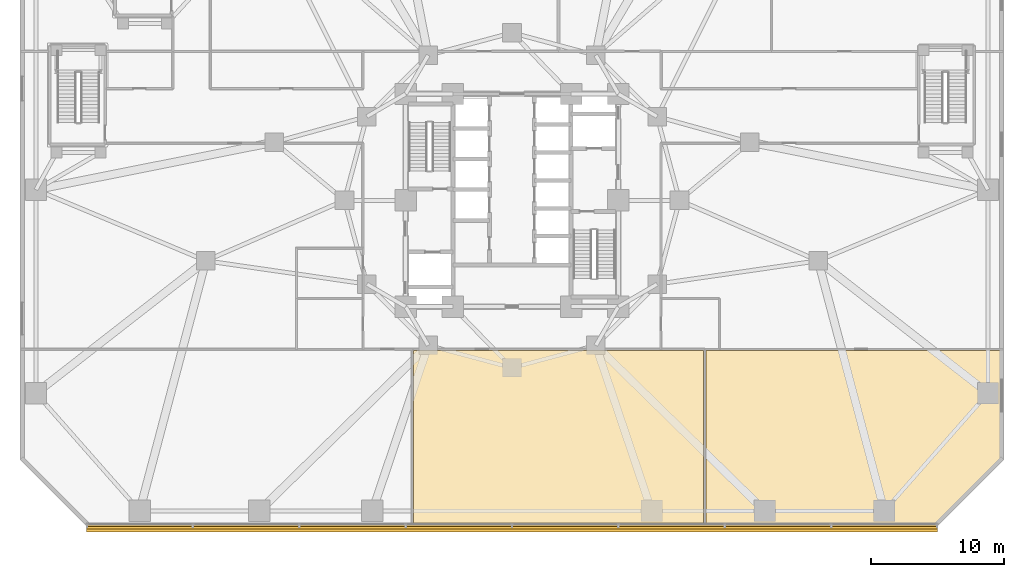
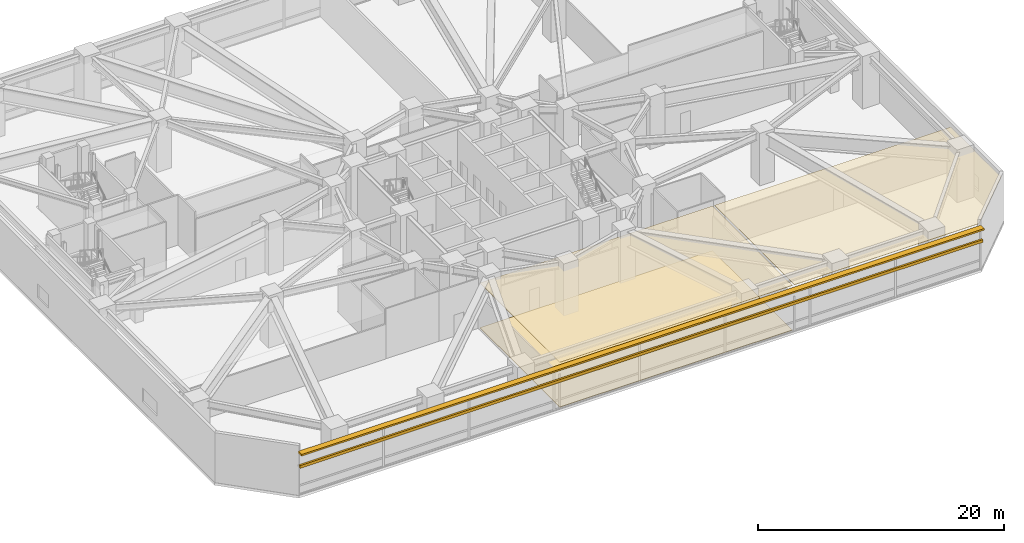
# One storey, part 23 of 27: 3 coverings, 2 shading devices.
"""IFC4 building model written with IfcOpenShell, lengths in metres."""

import ifcopenshell
import ifcopenshell.guid

model = None  # the IFC model being written
_history = None  # IfcOwnerHistory: only IFC2X3 demands one
_inside = {}  # id of a spatial element -> (the spatial element, [elements in it])
_under = {}  # id of a project, library or spatial element -> (it, [spatial elements below it])
_declared = {}  # id of a project -> (the project, [libraries it declares])
_typed = {}  # id of a type object -> (the type object, [elements of that type])
_made_of = {}  # id of a material, layer set ... -> (it, [elements and type objects made of it])


def new_model(schema):
    """Start an empty IFC model of exactly this schema.

    Asked for "IFC4X3", IfcOpenShell would pick the latest addendum, in which some entities
    have other attributes; the version numbers below select the first issue.
    IFC2X3 requires an IfcOwnerHistory on every rooted entity: one is made here for all.
    """
    global model, _history
    if schema == "IFC4X3":
        model = ifcopenshell.file(schema_version=(4, 3, 0, 0))
    else:
        model = ifcopenshell.file(schema=schema)
    _inside.clear()
    _under.clear()
    _declared.clear()
    _typed.clear()
    _made_of.clear()
    _history = None
    if model.schema == "IFC2X3":
        org = make("IfcOrganization", Name="unknown")
        user = make(
            "IfcPersonAndOrganization",
            ThePerson=make("IfcPerson", FamilyName="unknown"),
            TheOrganization=org,
        )
        app = make(
            "IfcApplication",
            ApplicationDeveloper=org,
            Version="unknown",
            ApplicationFullName="unknown",
            ApplicationIdentifier="unknown",
        )
        _history = make(
            "IfcOwnerHistory",
            OwningUser=user,
            OwningApplication=app,
            ChangeAction="ADDED",
            CreationDate=0,
        )
    return model


def make(cls, **values):
    """One entity of the class cls with the attributes given. An attribute that is None is left unset."""
    return model.create_entity(
        cls, **{name: value for name, value in values.items() if value is not None}
    )


def rooted(cls, **values):
    """An entity with a GlobalId (a new one), such as an element, a storey or a relation."""
    return make(cls, GlobalId=ifcopenshell.guid.new(), OwnerHistory=_history, **values)


def si_unit(unit_type, name, prefix=None):
    """IfcSIUnit, for example si_unit("LENGTHUNIT", "METRE", prefix="MILLI")."""
    return make("IfcSIUnit", UnitType=unit_type, Prefix=prefix, Name=name)


def assignment(units):
    """IfcUnitAssignment: the units of a project."""
    return None if units is None else make("IfcUnitAssignment", Units=units)


def point(xyz):
    """IfcCartesianPoint."""
    return None if xyz is None else make("IfcCartesianPoint", Coordinates=xyz)


def direction(xyz):
    """IfcDirection."""
    return None if xyz is None else make("IfcDirection", DirectionRatios=xyz)


def frame(location, z_axis=None, x_axis=None):
    """IfcAxis2Placement3D, a coordinate frame: its origin and axes. An axis left out is left unset."""
    return make(
        "IfcAxis2Placement3D",
        Location=point(location),
        Axis=direction(z_axis),
        RefDirection=direction(x_axis),
    )


def frame_2d(location, x_axis=None):
    """IfcAxis2Placement2D, a coordinate frame in the plane: its origin and x axis."""
    return make(
        "IfcAxis2Placement2D", Location=point(location), RefDirection=direction(x_axis)
    )


def origin():
    """The frame at (0, 0, 0) with its axes left unset."""
    return frame((0.0, 0.0, 0.0))


def origin_2d():
    """The frame at (0, 0) in the plane with its x axis left unset."""
    return frame_2d((0.0, 0.0))


def place(relative_to, where):
    """IfcLocalPlacement: puts the frame where relative to a parent placement (None: the world)."""
    return make(
        "IfcLocalPlacement", PlacementRelTo=relative_to, RelativePlacement=where
    )


def context(
    kind, dimensions, precision=None, world=None, true_north=None, identifier=None
):
    """IfcGeometricRepresentationContext, for example the 3D "Model" context."""
    return make(
        "IfcGeometricRepresentationContext",
        ContextIdentifier=identifier,
        ContextType=kind,
        CoordinateSpaceDimension=dimensions,
        Precision=precision,
        WorldCoordinateSystem=world,
        TrueNorth=true_north,
    )


def subcontext(parent, identifier, kind, view, scale=None):
    """IfcGeometricRepresentationSubContext, for example "Body" below "Model"."""
    return make(
        "IfcGeometricRepresentationSubContext",
        ContextIdentifier=identifier,
        ContextType=kind,
        ParentContext=parent,
        TargetScale=scale,
        TargetView=view,
    )


def project(units=None, contexts=None):
    """IfcProject with its units and contexts."""
    return rooted(
        "IfcProject",
        Name="project",
        RepresentationContexts=contexts,
        UnitsInContext=assignment(units),
    )


def spatial(cls, under=None, at=None, **own):
    """A site, building, storey or space (cls), placed at a placement, below another one or the project."""
    s = rooted(cls, ObjectPlacement=at, **own)
    if under is not None:
        _under.setdefault(under.id(), (under, []))[1].append(s)
    return s


def polyline(points):
    """IfcPolyline through the points."""
    return make("IfcPolyline", Points=[point(p) for p in points])


def profile(cls, at=None, kind="AREA", **sizes):
    """A parametric profile (cls). Its sizes go by their IFC names, for example OverallWidth=200.0."""
    return make(cls, ProfileType=kind, Position=at, **sizes)


def rectangle(**sizes):
    """IfcRectangleProfileDef."""
    return profile("IfcRectangleProfileDef", **sizes)


def outline(outer, holes=None, kind="AREA"):
    """IfcArbitraryClosedProfileDef: a profile drawn as a closed curve; with holes, ...WithVoids."""
    if holes is None:
        return make("IfcArbitraryClosedProfileDef", ProfileType=kind, OuterCurve=outer)
    return make(
        "IfcArbitraryProfileDefWithVoids",
        ProfileType=kind,
        OuterCurve=outer,
        InnerCurves=holes,
    )


def extrude(swept, where, along, depth):
    """IfcExtrudedAreaSolid: the profile swept, set in the frame where, extruded along a direction by depth."""
    return make(
        "IfcExtrudedAreaSolid",
        SweptArea=swept,
        Position=where,
        ExtrudedDirection=direction(along),
        Depth=depth,
    )


def shape(context_of_items, identifier, shape_type, items):
    """IfcShapeRepresentation: the items that make up one representation, for example the "Body"."""
    return make(
        "IfcShapeRepresentation",
        ContextOfItems=context_of_items,
        RepresentationIdentifier=identifier,
        RepresentationType=shape_type,
        Items=items,
    )


def material(Name=None, Category=None):
    """IfcMaterial."""
    return make("IfcMaterial", Name=Name, Category=Category)


def layer(
    of_material, thickness, ventilated=None, Name=None, Category=None, Priority=None
):
    """IfcMaterialLayer: one layer of a wall or slab, of a material (None: an air gap)."""
    return make(
        "IfcMaterialLayer",
        Material=of_material,
        LayerThickness=thickness,
        IsVentilated=ventilated,
        Name=Name,
        Category=Category,
        Priority=Priority,
    )


def layer_set(layers, Name=None):
    """IfcMaterialLayerSet."""
    return make("IfcMaterialLayerSet", MaterialLayers=layers, LayerSetName=Name)


def made_of(thing, what):
    """Note that an element or type object is made of a material, layer set ...; save() writes the relation."""
    if what is not None:
        _made_of.setdefault(what.id(), (what, []))[1].append(thing)
    return thing


def type_object(cls, material=None, **own):
    """A type object (cls), such as IfcWallType, which elements share."""
    return made_of(rooted(cls, **own), material)


def element(
    cls,
    number,
    at=None,
    inside=None,
    cuts=None,
    type_object=None,
    material=None,
    context=None,
    identifier="Body",
    shape_type=None,
    held_by="IfcProductDefinitionShape",
    body=None,
    shapes=None,
    **own,
):
    """One element of the class cls, such as IfcWall. Its Tag is "e" and its number.

    at: its placement. inside: the storey or other place that contains it. cuts: it is an
    opening in that element (IfcRelVoidsElement). A single representation is given by context,
    identifier, shape_type and body (its items); several are given by shapes. held_by: the class
    of the entity that holds the representations. save() writes the other relations.
    """
    e = rooted(cls, Tag="e%d" % number, ObjectPlacement=at, **own)
    if body is not None:
        shapes = [shape(context, identifier, shape_type, body)]
    if shapes is not None:
        e.Representation = make(held_by, Representations=shapes)
    if inside is not None:
        _inside.setdefault(inside.id(), (inside, []))[1].append(e)
    if cuts is not None:
        rooted(
            "IfcRelVoidsElement", RelatingBuildingElement=cuts, RelatedOpeningElement=e
        )
    if type_object is not None:
        _typed.setdefault(type_object.id(), (type_object, []))[1].append(e)
    return made_of(e, material)


def aggregate(whole, parts):
    """IfcRelAggregates: a whole, such as a stair, and the parts it consists of."""
    return rooted("IfcRelAggregates", RelatingObject=whole, RelatedObjects=parts)


def save(model, path):
    """Write the relations noted so far, then the file.

    IfcRelAggregates (storeys below a building ...), IfcRelContainedInSpatialStructure (elements
    in a storey), IfcRelDefinesByType, IfcRelAssociatesMaterial and IfcRelDeclares: one each for
    every whole, place, type object, material and project.
    """
    for whole, parts in _under.values():
        aggregate(whole, parts)
    for where, things in _inside.values():
        rooted(
            "IfcRelContainedInSpatialStructure",
            RelatedElements=things,
            RelatingStructure=where,
        )
    for kind, things in _typed.values():
        rooted("IfcRelDefinesByType", RelatedObjects=things, RelatingType=kind)
    for what, things in _made_of.values():
        rooted("IfcRelAssociatesMaterial", RelatedObjects=things, RelatingMaterial=what)
    for by, libraries in _declared.values():
        rooted("IfcRelDeclares", RelatingContext=by, RelatedDefinitions=libraries)
    model.write(path)


model = new_model("IFC4")

# Units and contexts
model_context = context("Model", 3, precision=1e-05, world=origin(), true_north=direction((0.0, 1.0)))
body_context = subcontext(model_context, "Body", "Model", "MODEL_VIEW")
ifc_project = project(units=[si_unit("LENGTHUNIT", "METRE"), si_unit("AREAUNIT", "SQUARE_METRE"), si_unit("VOLUMEUNIT", "CUBIC_METRE"), si_unit("PLANEANGLEUNIT", "RADIAN"), si_unit("MASSUNIT", "GRAM", prefix="KILO")], contexts=[model_context])

# Site, building, storey
site_placement = place(None, origin())
site = spatial("IfcSite", under=ifc_project, at=site_placement, CompositionType="ELEMENT")
building_placement = place(site_placement, origin())
building = spatial("IfcBuilding", under=site, at=building_placement, Name="Terralouvre Media Tower", CompositionType="ELEMENT")
storey_placement = place(building_placement, frame((0.0, 0.0, 15.60009765625)))
storey = spatial("IfcBuildingStorey", under=building, at=storey_placement, Name="L03", CompositionType="ELEMENT", Elevation=15.60009765625)

# Coverings
ifc_material_1 = material(Name="Resilient elastomer acoustic broadcast studio flooring")
ifc_layer_1 = layer(ifc_material_1, 0.050048828125, Name="Broadcast Studio Acoustic Floating Floor FL-AC1")
ifc_layer_set_1 = layer_set([ifc_layer_1], Name="Resilient elastomer acoustic broadcast studio flooring")
covering_type_1 = type_object("IfcCoveringType", Name="Broadcast Studio Acoustic Floating Floor FL-AC1", PredefinedType="FLOORING", material=ifc_layer_set_1)
covering_1_placement = place(storey_placement, origin())
element("IfcCovering", 1, at=covering_1_placement, inside=storey, type_object=covering_type_1, Name="L03 L03 Press Conference Auditorium 3 Acoustic Floating Floor", PredefinedType="FLOORING", context=body_context, shape_type="SweptSolid", body=[
    extrude(outline(polyline([(-7.39990234375, -11.300048828125), (-7.39990234375, -24.280029296875), (14.39990234375, -24.280029296875), (14.39990234375, -11.300048828125), (-7.39990234375, -11.300048828125)])), origin(), (0.0, 0.0, 1.0), 0.0498046875),
])
ifc_material_2 = material(Name="Perforated aluminium acoustic ceiling baffle", Category="aluminium")
ifc_layer_2 = layer(ifc_material_2, 0.0400390625, Name="Perforated Acoustic Metal Tile Ceiling CL-AC1")
ifc_layer_set_2 = layer_set([ifc_layer_2], Name="Perforated aluminium acoustic ceiling baffle")
covering_type_2 = type_object("IfcCoveringType", Name="Perforated Acoustic Metal Tile Ceiling CL-AC1", PredefinedType="CEILING", material=ifc_layer_set_2)
covering_2_placement = place(storey_placement, frame((0.0, 0.0, 4.429931640625)))
element("IfcCovering", 2, at=covering_2_placement, inside=storey, type_object=covering_type_2, Name="L03 L03 Press Conference Auditorium 3 Acoustic Ceiling", PredefinedType="CEILING", context=body_context, shape_type="SweptSolid", body=[
    extrude(outline(polyline([(-7.39990234375, -11.300048828125), (-7.39990234375, -24.280029296875), (14.39990234375, -24.280029296875), (14.39990234375, -11.300048828125), (-7.39990234375, -11.300048828125)])), origin(), (0.0, 0.0, 1.0), 0.0400390625),
])
covering_3_placement = place(storey_placement, frame((0.0, 0.0, 4.429931640625)))
element("IfcCovering", 3, at=covering_3_placement, inside=storey, type_object=covering_type_2, Name="L03 L03 Editorial Summit Boardroom 4 Acoustic Ceiling", PredefinedType="CEILING", context=body_context, shape_type="SweptSolid", body=[
    extrude(outline(polyline([(14.60009765625, -24.280029296875), (31.90869140625, -24.280029296875), (36.780029296875, -19.40869140625), (36.780029296875, -11.300048828125), (14.60009765625, -11.300048828125), (14.60009765625, -24.280029296875)])), origin(), (0.0, 0.0, 1.0), 0.0400390625),
])

# Shading devices
ifc_material_3 = material(Name="Extruded terracotta baguette sunshade louvres", Category="masonry")
shading_device_type_1 = type_object("IfcShadingDeviceType", Name="Podium Deep Terracotta Sunshade Canopy Blade TB-SH1", PredefinedType="USERDEFINED", material=ifc_material_3)
shading_device_1_placement = place(storey_placement, frame((0.0, -24.679931640625, 4.18994140625), z_axis=(0.0, 0.0, 1.0), x_axis=(1.0, 0.0, 0.0)))
element("IfcShadingDevice", 4, at=shading_device_1_placement, inside=storey, type_object=shading_device_type_1, Name="L03 Podium Deep Sunshade Blade F0", ObjectType="SUNSHADE", PredefinedType="USERDEFINED", context=body_context, shape_type="SweptSolid", body=[
    extrude(rectangle(XDim=64.0, YDim=0.550048828125, at=origin_2d()), origin(), (0.0, 0.0, 1.0), 0.159912109375),
])
ifc_material_4 = material(Name="Extruded terracotta baguette sunshade louvres", Category="masonry")
shading_device_type_2 = type_object("IfcShadingDeviceType", Name="Terracotta Baguette Sunshade Louvre Screen TB-LV1", PredefinedType="USERDEFINED", material=ifc_material_4)
shading_device_2_placement = place(storey_placement, frame((0.0, -24.6201171875, 2.82470703125), z_axis=(0.0, 0.0, 1.0), x_axis=(1.0, 0.0, 0.0)))
element("IfcShadingDevice", 5, at=shading_device_2_placement, inside=storey, type_object=shading_device_type_2, Name="CW-L03-F0 Terracotta Baguette Sunshade Louvre", ObjectType="BAGUETTE", PredefinedType="USERDEFINED", context=body_context, shape_type="SweptSolid", body=[
    extrude(rectangle(XDim=64.0, YDim=0.179931640625, at=origin_2d()), origin(), (0.0, 0.0, 1.0), 0.280029296875),
])

save(model, "model.ifc")
